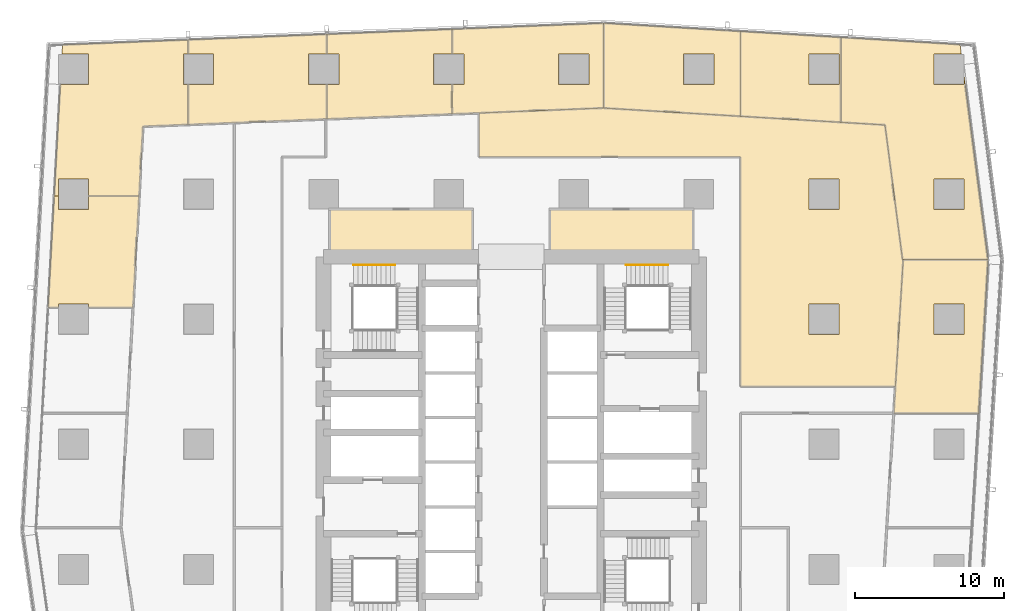
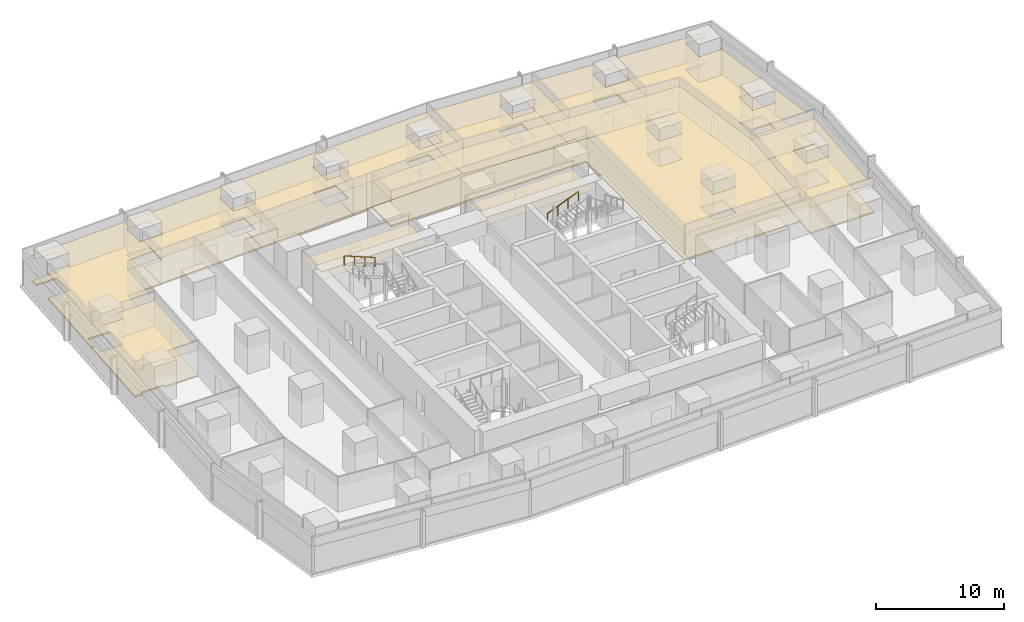
# One storey, part 39 of 39: 22 coverings, 2 railings.
"""IFC4 building model written with IfcOpenShell, lengths in metres."""

from ifc_helpers import new_model, si_unit, direction, frame, origin, origin_2d, place, context, subcontext, project, spatial, polyline, circle, outline, extrude, material, layer, layer_set, type_object, element, save


model = new_model("IFC4")

# Units and contexts
model_context = context("Model", 3, precision=1e-05, world=origin(), true_north=direction((0.0, 1.0)))
body_context = subcontext(model_context, "Body", "Model", "MODEL_VIEW")
ifc_project = project(units=[si_unit("LENGTHUNIT", "METRE"), si_unit("AREAUNIT", "SQUARE_METRE"), si_unit("VOLUMEUNIT", "CUBIC_METRE"), si_unit("PLANEANGLEUNIT", "RADIAN"), si_unit("MASSUNIT", "GRAM", prefix="KILO")], contexts=[model_context])

# Site, building, storey
site_placement = place(None, origin())
site = spatial("IfcSite", under=ifc_project, at=site_placement, CompositionType="ELEMENT")
building_placement = place(site_placement, origin())
building = spatial("IfcBuilding", under=site, at=building_placement, Name="Rekha Terrace Tower", CompositionType="ELEMENT")
storey_placement = place(building_placement, frame((0.0, 0.0, 147.800048828125)))
storey = spatial("IfcBuildingStorey", under=building, at=storey_placement, Name="L37", CompositionType="ELEMENT", Elevation=147.800048828125)

# Coverings
ifc_material_1 = material(Name="Mineral fibre tile in exposed grid", Category="finish")
ifc_layer_1 = layer(ifc_material_1, 0.02001953125)
ifc_layer_set_1 = layer_set([ifc_layer_1], Name="Mineral fibre tile in exposed grid")
covering_type_1 = type_object("IfcCoveringType", Name="CL1 600x1200 office grid ceiling", PredefinedType="CEILING", material=ifc_layer_set_1)
covering_1_placement = place(storey_placement, frame((0.0, 0.0, 2.579833984375)))
element("IfcCovering", 1, at=covering_1_placement, inside=storey, type_object=covering_type_1, Name="Ceiling L37-05", PredefinedType="CEILING", context=body_context, shape_type="SweptSolid", body=[
    extrude(outline(polyline([(69.837890625, 46.0029296875), (64.126953125, 46.0029296875), (63.5439453125, 36.490966796875), (63.4951171875, 35.68701171875), (69.2060546875, 35.68701171875), (69.837890625, 46.0029296875)]), holes=[polyline([(68.215087890625, 40.985107421875), (66.18505859375, 40.985107421875), (66.18505859375, 43.014892578125), (68.215087890625, 43.014892578125), (68.215087890625, 40.985107421875)])]), origin(), (0.0, 0.0, 1.0), 0.02001953125),
])
covering_2_placement = place(storey_placement, frame((0.0, 0.0, 2.579833984375)))
element("IfcCovering", 2, at=covering_2_placement, inside=storey, type_object=covering_type_1, Name="Ceiling L37-06", PredefinedType="CEILING", context=body_context, shape_type="SweptSolid", body=[
    extrude(outline(polyline([(67.948974609375, 60.462890625), (59.93701171875, 60.944091796875), (59.93701171875, 55.23388671875), (62.905029296875, 55.055908203125), (64.083984375, 46.00390625), (69.83203125, 46.00390625), (68.235107421875, 58.264892578125), (68.215087890625, 58.262939453125), (68.215087890625, 57.784912109375), (66.18505859375, 57.784912109375), (66.18505859375, 59.81494140625), (68.032958984375, 59.81494140625), (67.948974609375, 60.462890625)]), holes=[polyline([(68.215087890625, 49.385009765625), (66.18505859375, 49.385009765625), (66.18505859375, 51.4150390625), (68.215087890625, 51.4150390625), (68.215087890625, 49.385009765625)])]), origin(), (0.0, 0.0, 1.0), 0.02001953125),
])
covering_3_placement = place(storey_placement, frame((0.0, 0.0, 2.579833984375)))
element("IfcCovering", 3, at=covering_3_placement, inside=storey, type_object=covering_type_1, Name="Ceiling L37-07", PredefinedType="CEILING", context=body_context, shape_type="SweptSolid", body=[
    extrude(outline(polyline([(59.93603515625, 55.23388671875), (59.93603515625, 60.945068359375), (53.197021484375, 61.35009765625), (53.197021484375, 55.638916015625), (59.93603515625, 55.23388671875)]), holes=[polyline([(59.81494140625, 57.784912109375), (57.784912109375, 57.784912109375), (57.784912109375, 59.81494140625), (59.81494140625, 59.81494140625), (59.81494140625, 57.784912109375)])]), origin(), (0.0, 0.0, 1.0), 0.02001953125),
])
covering_4_placement = place(storey_placement, frame((0.0, 0.0, 2.579833984375)))
element("IfcCovering", 4, at=covering_4_placement, inside=storey, type_object=covering_type_1, Name="Ceiling L37-08", PredefinedType="CEILING", context=body_context, shape_type="SweptSolid", body=[
    extrude(outline(polyline([(53.196044921875, 55.638916015625), (53.196044921875, 61.35009765625), (44.00390625, 61.902099609375), (44.00390625, 56.19189453125), (53.196044921875, 55.638916015625)]), holes=[polyline([(51.4150390625, 57.784912109375), (49.385009765625, 57.784912109375), (49.385009765625, 59.81494140625), (51.4150390625, 59.81494140625), (51.4150390625, 57.784912109375)])]), origin(), (0.0, 0.0, 1.0), 0.02001953125),
])
covering_5_placement = place(storey_placement, frame((0.0, 0.0, 2.579833984375)))
element("IfcCovering", 5, at=covering_5_placement, inside=storey, type_object=covering_type_1, Name="Ceiling L37-09", PredefinedType="CEILING", context=body_context, shape_type="SweptSolid", body=[
    extrude(outline(polyline([(33.827880859375, 57.784912109375), (33.827880859375, 55.785888671875), (35.074951171875, 55.8359375), (44.0029296875, 56.194091796875), (44.0029296875, 61.89892578125), (33.827880859375, 61.490966796875), (33.827880859375, 59.81494140625), (34.614990234375, 59.81494140625), (34.614990234375, 57.784912109375), (33.827880859375, 57.784912109375)]), holes=[polyline([(43.014892578125, 57.784912109375), (40.985107421875, 57.784912109375), (40.985107421875, 59.81494140625), (43.014892578125, 59.81494140625), (43.014892578125, 57.784912109375)])]), origin(), (0.0, 0.0, 1.0), 0.02001953125),
])
covering_6_placement = place(storey_placement, frame((0.0, 0.0, 2.579833984375)))
element("IfcCovering", 6, at=covering_6_placement, inside=storey, type_object=covering_type_1, Name="Ceiling L37-10", PredefinedType="CEILING", context=body_context, shape_type="SweptSolid", body=[
    extrude(outline(polyline([(26.215087890625, 57.784912109375), (25.4140625, 57.784912109375), (25.4140625, 55.448974609375), (33.826904296875, 55.785888671875), (33.826904296875, 57.784912109375), (32.5849609375, 57.784912109375), (32.5849609375, 59.81494140625), (33.826904296875, 59.81494140625), (33.826904296875, 61.490966796875), (25.4140625, 61.154052734375), (25.4140625, 59.81494140625), (26.215087890625, 59.81494140625), (26.215087890625, 57.784912109375)])), origin(), (0.0, 0.0, 1.0), 0.02001953125),
])
covering_7_placement = place(storey_placement, frame((0.0, 0.0, 2.579833984375)))
element("IfcCovering", 7, at=covering_7_placement, inside=storey, type_object=covering_type_1, Name="Ceiling L37-11", PredefinedType="CEILING", context=body_context, shape_type="SweptSolid", body=[
    extrude(outline(polyline([(16.10205078125, 57.784912109375), (16.10205078125, 55.075927734375), (25.4130859375, 55.448974609375), (25.4130859375, 57.784912109375), (24.18505859375, 57.784912109375), (24.18505859375, 59.81494140625), (25.4130859375, 59.81494140625), (25.4130859375, 61.154052734375), (16.10205078125, 60.781005859375), (16.10205078125, 59.81494140625), (17.81494140625, 59.81494140625), (17.81494140625, 57.784912109375), (16.10205078125, 57.784912109375)])), origin(), (0.0, 0.0, 1.0), 0.02001953125),
])
covering_8_placement = place(storey_placement, frame((0.0, 0.0, 2.579833984375)))
element("IfcCovering", 8, at=covering_8_placement, inside=storey, type_object=covering_type_1, Name="Ceiling L37-12", PredefinedType="CEILING", context=body_context, shape_type="SweptSolid", body=[
    extrude(outline(polyline([(15.784912109375, 59.81494140625), (16.10107421875, 59.81494140625), (16.10107421875, 60.781005859375), (7.653076171875, 60.44189453125), (7.618896484375, 59.81494140625), (9.4150390625, 59.81494140625), (9.4150390625, 57.784912109375), (7.507080078125, 57.784912109375), (7.095947265625, 50.284912109375), (7.385009765625, 50.284912109375), (7.385009765625, 51.4150390625), (9.4150390625, 51.4150390625), (9.4150390625, 50.284912109375), (12.804931640625, 50.284912109375), (13.06103515625, 54.9541015625), (16.10107421875, 55.075927734375), (16.10107421875, 57.784912109375), (15.784912109375, 57.784912109375), (15.784912109375, 59.81494140625)])), origin(), (0.0, 0.0, 1.0), 0.02001953125),
])
covering_9_placement = place(storey_placement, frame((0.0, 0.0, 2.579833984375)))
element("IfcCovering", 9, at=covering_9_placement, inside=storey, type_object=covering_type_1, Name="Ceiling L37-13", PredefinedType="CEILING", context=body_context, shape_type="SweptSolid", body=[
    extrude(outline(polyline([(9.4150390625, 42.794921875), (12.39404296875, 42.794921875), (12.804931640625, 50.283935546875), (9.4150390625, 50.283935546875), (9.4150390625, 49.385009765625), (7.385009765625, 49.385009765625), (7.385009765625, 50.283935546875), (7.095947265625, 50.283935546875), (6.68505859375, 42.794921875), (7.385009765625, 42.794921875), (7.385009765625, 43.014892578125), (9.4150390625, 43.014892578125), (9.4150390625, 42.794921875)])), origin(), (0.0, 0.0, 1.0), 0.02001953125),
])
covering_10_placement = place(storey_placement, frame((0.0, 0.0, 2.579833984375)))
element("IfcCovering", 10, at=covering_10_placement, inside=storey, type_object=covering_type_1, Name="Ceiling L37-O1", PredefinedType="CEILING", context=body_context, shape_type="SweptSolid", body=[
    extrude(outline(polyline([(53.196044921875, 55.638916015625), (44.007080078125, 56.19189453125), (43.98095703125, 56.193115234375), (35.6259765625, 55.85791015625), (35.6259765625, 52.89990234375), (53.199951171875, 52.89990234375), (53.199951171875, 37.489990234375), (63.60595703125, 37.489990234375), (64.113037109375, 45.777099609375), (64.08203125, 46.02001953125), (62.905029296875, 55.055908203125), (59.93603515625, 55.23388671875), (53.196044921875, 55.638916015625)]), holes=[polyline([(59.81494140625, 40.985107421875), (57.784912109375, 40.985107421875), (57.784912109375, 43.014892578125), (59.81494140625, 43.014892578125), (59.81494140625, 40.985107421875)]), polyline([(59.81494140625, 49.385009765625), (57.784912109375, 49.385009765625), (57.784912109375, 51.4150390625), (59.81494140625, 51.4150390625), (59.81494140625, 49.385009765625)])]), origin(), (0.0, 0.0, 1.0), 0.02001953125),
])
ifc_material_2 = material(Name="Fibre cement board", Category="finish")
ifc_layer_2 = layer(ifc_material_2, 0.014892578125)
ifc_layer_set_2 = layer_set([ifc_layer_2], Name="Fibre cement board")
covering_type_2 = type_object("IfcCoveringType", Name="CL2 moisture-resistant board ceiling", PredefinedType="CEILING", material=ifc_layer_set_2)
covering_11_placement = place(storey_placement, frame((0.0, 0.0, 2.5849609375)))
element("IfcCovering", 11, at=covering_11_placement, inside=storey, type_object=covering_type_2, Name="Ceiling L37-WCF", PredefinedType="CEILING", context=body_context, shape_type="SweptSolid", body=[
    extrude(outline(polyline([(40.985107421875, 49.39990234375), (40.39990234375, 49.39990234375), (40.39990234375, 46.199951171875), (50.0, 46.199951171875), (50.0, 49.385009765625), (49.385009765625, 49.385009765625), (49.385009765625, 49.39990234375), (43.014892578125, 49.39990234375), (43.014892578125, 49.385009765625), (40.985107421875, 49.385009765625), (40.985107421875, 49.39990234375)])), origin(), (0.0, 0.0, 1.0), 0.014892578125),
])
covering_12_placement = place(storey_placement, frame((0.0, 0.0, 2.5849609375)))
element("IfcCovering", 12, at=covering_12_placement, inside=storey, type_object=covering_type_2, Name="Ceiling L37-WCF2", PredefinedType="CEILING", context=body_context, shape_type="SweptSolid", body=[
    extrude(outline(polyline([(26.215087890625, 49.385009765625), (25.60009765625, 49.385009765625), (25.60009765625, 46.199951171875), (35.199951171875, 46.199951171875), (35.199951171875, 49.39990234375), (34.614990234375, 49.39990234375), (34.614990234375, 49.385009765625), (32.5849609375, 49.385009765625), (32.5849609375, 49.39990234375), (26.215087890625, 49.39990234375), (26.215087890625, 49.385009765625)])), origin(), (0.0, 0.0, 1.0), 0.014892578125),
])

# Railings
ifc_material_3 = material(Name="Stainless steel tube", Category="steel")
railing_type = type_object("IfcRailingType", Name="HR1 900 stair handrail", PredefinedType="HANDRAIL", material=ifc_material_3)
railing_1_placement = place(storey_placement, frame((45.52490234375, 45.639892578125, 1.375)))
element("IfcRailing", 13, at=railing_1_placement, inside=storey, type_object=railing_type, Name="Handrail ST2 L37 flight 2", PredefinedType="HANDRAIL", context=body_context, shape_type="SweptSolid", body=[
    extrude(circle(Radius=0.02392578125, at=origin_2d()), frame((0.0, 0.0, 0.8759765625), z_axis=(0.927443287984, 0.0, 0.373963831907), x_axis=(0.0, 1.0, 0.0)), (0.0, 0.0, 1.0), 3.00830078125),
    extrude(circle(Radius=0.02099609375, at=origin_2d()), origin(), (0.0, 0.0, 1.0), 0.851806640625),
    extrude(circle(Radius=0.02099609375, at=origin_2d()), frame((0.929931640625, 0.0, 0.375)), (0.0, 0.0, 1.0), 0.851806640625),
    extrude(circle(Radius=0.02099609375, at=origin_2d()), frame((1.860107421875, 0.0, 0.75)), (0.0, 0.0, 1.0), 0.851806640625),
    extrude(circle(Radius=0.02099609375, at=origin_2d()), frame((2.7900390625, 0.0, 1.125)), (0.0, 0.0, 1.0), 0.851806640625),
])
railing_2_placement = place(storey_placement, frame((29.989990234375, 45.639892578125, 2.625)))
element("IfcRailing", 14, at=railing_2_placement, inside=storey, type_object=railing_type, Name="Handrail ST4 L37 flight 3", PredefinedType="HANDRAIL", context=body_context, shape_type="SweptSolid", body=[
    extrude(circle(Radius=0.02392578125, at=origin_2d()), frame((0.0, 0.0, 0.8759765625), z_axis=(-0.927443287984, 0.0, 0.373963831907), x_axis=(0.0, -1.0, 0.0)), (0.0, 0.0, 1.0), 3.00830078125),
    extrude(circle(Radius=0.02099609375, at=origin_2d()), origin(), (0.0, 0.0, 1.0), 0.851806640625),
    extrude(circle(Radius=0.02099609375, at=origin_2d()), frame((-0.929931640625, 0.0, 0.375)), (0.0, 0.0, 1.0), 0.851806640625),
    extrude(circle(Radius=0.02099609375, at=origin_2d()), frame((-1.860107421875, 0.0, 0.75)), (0.0, 0.0, 1.0), 0.851806640625),
    extrude(circle(Radius=0.02099609375, at=origin_2d()), frame((-2.7900390625, 0.0, 1.125)), (0.0, 0.0, 1.0), 0.851806640625),
])

# Coverings
ifc_material_4 = material(Name="Calcium sulphate panels on steel pedestals", Category="steel")
ifc_layer_3 = layer(ifc_material_4, 0.14990234375)
ifc_layer_set_3 = layer_set([ifc_layer_3], Name="Calcium sulphate panels on steel pedestals")
covering_type_3 = type_object("IfcCoveringType", Name="RF1 150 raised access floor", PredefinedType="FLOORING", material=ifc_layer_set_3)
covering_13_placement = place(storey_placement, origin())
element("IfcCovering", 15, at=covering_13_placement, inside=storey, type_object=covering_type_3, Name="Raised floor L37-05", PredefinedType="FLOORING", context=body_context, shape_type="SweptSolid", body=[
    extrude(outline(polyline([(69.837890625, 46.0029296875), (64.126953125, 46.0029296875), (63.5439453125, 36.490966796875), (63.4951171875, 35.68701171875), (69.2060546875, 35.68701171875), (69.837890625, 46.0029296875)]), holes=[polyline([(68.215087890625, 40.985107421875), (66.18505859375, 40.985107421875), (66.18505859375, 43.014892578125), (68.215087890625, 43.014892578125), (68.215087890625, 40.985107421875)])]), origin(), (0.0, 0.0, 1.0), 0.14990234375),
])
covering_14_placement = place(storey_placement, origin())
element("IfcCovering", 16, at=covering_14_placement, inside=storey, type_object=covering_type_3, Name="Raised floor L37-06", PredefinedType="FLOORING", context=body_context, shape_type="SweptSolid", body=[
    extrude(outline(polyline([(67.948974609375, 60.462890625), (59.93701171875, 60.944091796875), (59.93701171875, 55.23388671875), (62.905029296875, 55.055908203125), (64.083984375, 46.00390625), (69.83203125, 46.00390625), (68.235107421875, 58.264892578125), (68.215087890625, 58.262939453125), (68.215087890625, 57.784912109375), (66.18505859375, 57.784912109375), (66.18505859375, 59.81494140625), (68.032958984375, 59.81494140625), (67.948974609375, 60.462890625)]), holes=[polyline([(68.215087890625, 49.385009765625), (66.18505859375, 49.385009765625), (66.18505859375, 51.4150390625), (68.215087890625, 51.4150390625), (68.215087890625, 49.385009765625)])]), origin(), (0.0, 0.0, 1.0), 0.14990234375),
])
covering_15_placement = place(storey_placement, origin())
element("IfcCovering", 17, at=covering_15_placement, inside=storey, type_object=covering_type_3, Name="Raised floor L37-07", PredefinedType="FLOORING", context=body_context, shape_type="SweptSolid", body=[
    extrude(outline(polyline([(59.93603515625, 55.23388671875), (59.93603515625, 60.945068359375), (53.197021484375, 61.35009765625), (53.197021484375, 55.638916015625), (59.93603515625, 55.23388671875)]), holes=[polyline([(59.81494140625, 57.784912109375), (57.784912109375, 57.784912109375), (57.784912109375, 59.81494140625), (59.81494140625, 59.81494140625), (59.81494140625, 57.784912109375)])]), origin(), (0.0, 0.0, 1.0), 0.14990234375),
])
covering_16_placement = place(storey_placement, origin())
element("IfcCovering", 18, at=covering_16_placement, inside=storey, type_object=covering_type_3, Name="Raised floor L37-08", PredefinedType="FLOORING", context=body_context, shape_type="SweptSolid", body=[
    extrude(outline(polyline([(53.196044921875, 55.638916015625), (53.196044921875, 61.35009765625), (44.00390625, 61.902099609375), (44.00390625, 56.19189453125), (53.196044921875, 55.638916015625)]), holes=[polyline([(51.4150390625, 57.784912109375), (49.385009765625, 57.784912109375), (49.385009765625, 59.81494140625), (51.4150390625, 59.81494140625), (51.4150390625, 57.784912109375)])]), origin(), (0.0, 0.0, 1.0), 0.14990234375),
])
covering_17_placement = place(storey_placement, origin())
element("IfcCovering", 19, at=covering_17_placement, inside=storey, type_object=covering_type_3, Name="Raised floor L37-09", PredefinedType="FLOORING", context=body_context, shape_type="SweptSolid", body=[
    extrude(outline(polyline([(33.827880859375, 57.784912109375), (33.827880859375, 55.785888671875), (35.074951171875, 55.8359375), (44.0029296875, 56.194091796875), (44.0029296875, 61.89892578125), (33.827880859375, 61.490966796875), (33.827880859375, 59.81494140625), (34.614990234375, 59.81494140625), (34.614990234375, 57.784912109375), (33.827880859375, 57.784912109375)]), holes=[polyline([(43.014892578125, 57.784912109375), (40.985107421875, 57.784912109375), (40.985107421875, 59.81494140625), (43.014892578125, 59.81494140625), (43.014892578125, 57.784912109375)])]), origin(), (0.0, 0.0, 1.0), 0.14990234375),
])
covering_18_placement = place(storey_placement, origin())
element("IfcCovering", 20, at=covering_18_placement, inside=storey, type_object=covering_type_3, Name="Raised floor L37-10", PredefinedType="FLOORING", context=body_context, shape_type="SweptSolid", body=[
    extrude(outline(polyline([(26.215087890625, 57.784912109375), (25.4140625, 57.784912109375), (25.4140625, 55.448974609375), (33.826904296875, 55.785888671875), (33.826904296875, 57.784912109375), (32.5849609375, 57.784912109375), (32.5849609375, 59.81494140625), (33.826904296875, 59.81494140625), (33.826904296875, 61.490966796875), (25.4140625, 61.154052734375), (25.4140625, 59.81494140625), (26.215087890625, 59.81494140625), (26.215087890625, 57.784912109375)])), origin(), (0.0, 0.0, 1.0), 0.14990234375),
])
covering_19_placement = place(storey_placement, origin())
element("IfcCovering", 21, at=covering_19_placement, inside=storey, type_object=covering_type_3, Name="Raised floor L37-11", PredefinedType="FLOORING", context=body_context, shape_type="SweptSolid", body=[
    extrude(outline(polyline([(16.10205078125, 57.784912109375), (16.10205078125, 55.075927734375), (25.4130859375, 55.448974609375), (25.4130859375, 57.784912109375), (24.18505859375, 57.784912109375), (24.18505859375, 59.81494140625), (25.4130859375, 59.81494140625), (25.4130859375, 61.154052734375), (16.10205078125, 60.781005859375), (16.10205078125, 59.81494140625), (17.81494140625, 59.81494140625), (17.81494140625, 57.784912109375), (16.10205078125, 57.784912109375)])), origin(), (0.0, 0.0, 1.0), 0.14990234375),
])
covering_20_placement = place(storey_placement, origin())
element("IfcCovering", 22, at=covering_20_placement, inside=storey, type_object=covering_type_3, Name="Raised floor L37-12", PredefinedType="FLOORING", context=body_context, shape_type="SweptSolid", body=[
    extrude(outline(polyline([(15.784912109375, 59.81494140625), (16.10107421875, 59.81494140625), (16.10107421875, 60.781005859375), (7.653076171875, 60.44189453125), (7.618896484375, 59.81494140625), (9.4150390625, 59.81494140625), (9.4150390625, 57.784912109375), (7.507080078125, 57.784912109375), (7.095947265625, 50.284912109375), (7.385009765625, 50.284912109375), (7.385009765625, 51.4150390625), (9.4150390625, 51.4150390625), (9.4150390625, 50.284912109375), (12.804931640625, 50.284912109375), (13.06103515625, 54.9541015625), (16.10107421875, 55.075927734375), (16.10107421875, 57.784912109375), (15.784912109375, 57.784912109375), (15.784912109375, 59.81494140625)])), origin(), (0.0, 0.0, 1.0), 0.14990234375),
])
covering_21_placement = place(storey_placement, origin())
element("IfcCovering", 23, at=covering_21_placement, inside=storey, type_object=covering_type_3, Name="Raised floor L37-13", PredefinedType="FLOORING", context=body_context, shape_type="SweptSolid", body=[
    extrude(outline(polyline([(9.4150390625, 42.794921875), (12.39404296875, 42.794921875), (12.804931640625, 50.283935546875), (9.4150390625, 50.283935546875), (9.4150390625, 49.385009765625), (7.385009765625, 49.385009765625), (7.385009765625, 50.283935546875), (7.095947265625, 50.283935546875), (6.68505859375, 42.794921875), (7.385009765625, 42.794921875), (7.385009765625, 43.014892578125), (9.4150390625, 43.014892578125), (9.4150390625, 42.794921875)])), origin(), (0.0, 0.0, 1.0), 0.14990234375),
])
covering_22_placement = place(storey_placement, origin())
element("IfcCovering", 24, at=covering_22_placement, inside=storey, type_object=covering_type_3, Name="Raised floor L37-O1", PredefinedType="FLOORING", context=body_context, shape_type="SweptSolid", body=[
    extrude(outline(polyline([(53.196044921875, 55.638916015625), (44.007080078125, 56.19189453125), (43.98095703125, 56.193115234375), (35.6259765625, 55.85791015625), (35.6259765625, 52.89990234375), (53.199951171875, 52.89990234375), (53.199951171875, 37.489990234375), (63.60595703125, 37.489990234375), (64.113037109375, 45.777099609375), (64.08203125, 46.02001953125), (62.905029296875, 55.055908203125), (59.93603515625, 55.23388671875), (53.196044921875, 55.638916015625)]), holes=[polyline([(59.81494140625, 40.985107421875), (57.784912109375, 40.985107421875), (57.784912109375, 43.014892578125), (59.81494140625, 43.014892578125), (59.81494140625, 40.985107421875)]), polyline([(59.81494140625, 49.385009765625), (57.784912109375, 49.385009765625), (57.784912109375, 51.4150390625), (59.81494140625, 51.4150390625), (59.81494140625, 49.385009765625)])]), origin(), (0.0, 0.0, 1.0), 0.14990234375),
])

save(model, "model.ifc")
